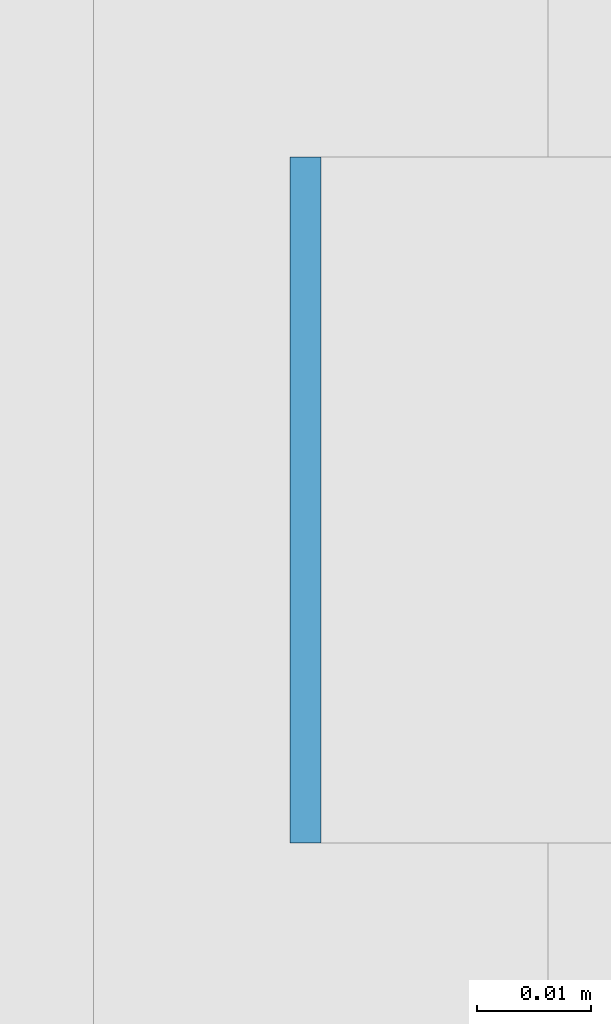
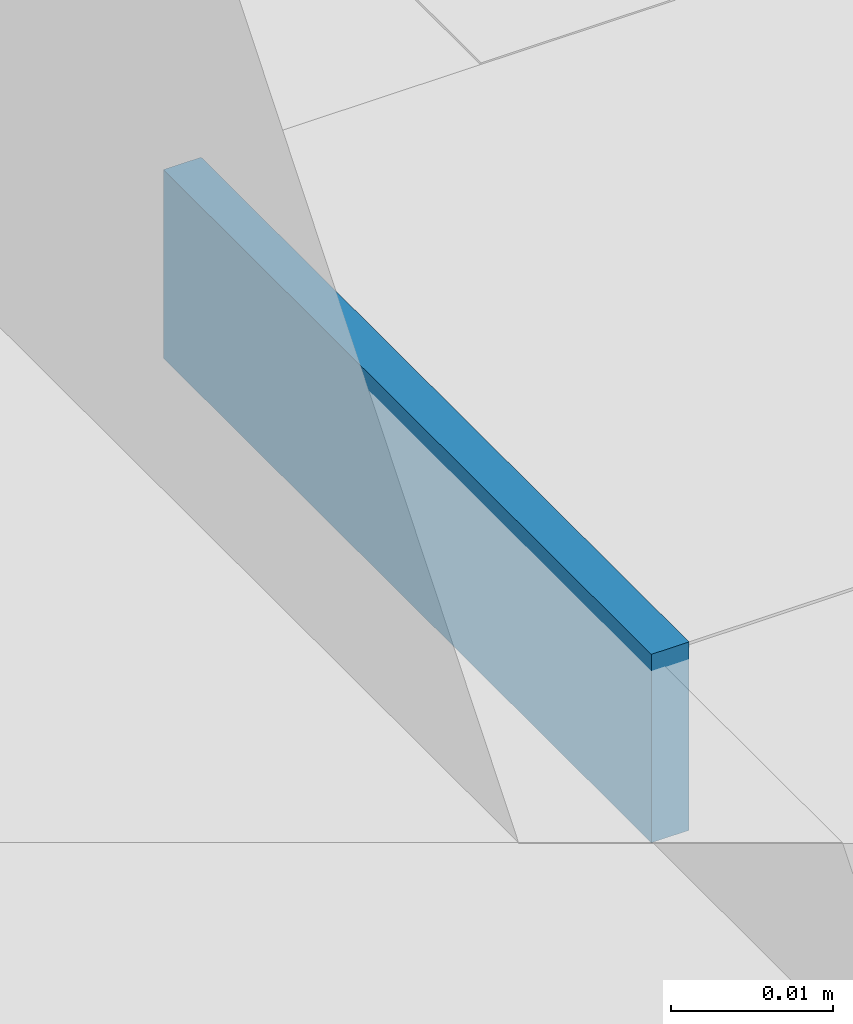
# One storey, part 505 of 646: 1 discrete accessory.
"""IFC4 building model written with IfcOpenShell, lengths in metres."""

from ifc_helpers import new_model, si_unit, direction, frame, origin, origin_2d, place, context, subcontext, project, spatial, rectangle, extrude, material, type_object, element, save


model = new_model("IFC4")

# Units and contexts
model_context = context("Model", 3, precision=1e-05, world=origin(), true_north=direction((0.0, 1.0)))
body_context = subcontext(model_context, "Body", "Model", "MODEL_VIEW")
ifc_project = project(units=[si_unit("LENGTHUNIT", "METRE"), si_unit("AREAUNIT", "SQUARE_METRE"), si_unit("VOLUMEUNIT", "CUBIC_METRE"), si_unit("PLANEANGLEUNIT", "RADIAN"), si_unit("MASSUNIT", "GRAM", prefix="KILO")], contexts=[model_context])

# Site, building, storey
site_placement = place(None, origin())
site = spatial("IfcSite", under=ifc_project, at=site_placement, CompositionType="ELEMENT")
building_placement = place(site_placement, origin())
building = spatial("IfcBuilding", under=site, at=building_placement, Name="Silverbay Arena", CompositionType="ELEMENT")
storey_placement = place(building_placement, frame((0.0, 0.0, 33.5)))
storey = spatial("IfcBuildingStorey", under=building, at=storey_placement, Name="L05", CompositionType="ELEMENT", Elevation=33.5)

# Discrete accessory
ifc_material = material(Name="Steel S355", Category="steel")
discrete_accessory_type = type_object("IfcDiscreteAccessoryType", Name="Steel bracket plate", PredefinedType="BRACKET", material=ifc_material)
discrete_accessory_placement = place(storey_placement, frame((207.128662109375, 70.71435546875, 12.98583984375), z_axis=(0.0, 0.0, 1.0), x_axis=(1.0, 0.0, 0.0)))
element("IfcDiscreteAccessory", 1, at=discrete_accessory_placement, inside=storey, type_object=discrete_accessory_type, Name="Curtain wall packing plate", PredefinedType="BRACKET", context=body_context, shape_type="SweptSolid", body=[
    extrude(rectangle(XDim=0.002685546875, YDim=0.06005859375, at=origin_2d()), origin(), (0.0, 0.0, 1.0), 0.01416015625),
])

save(model, "model.ifc")
